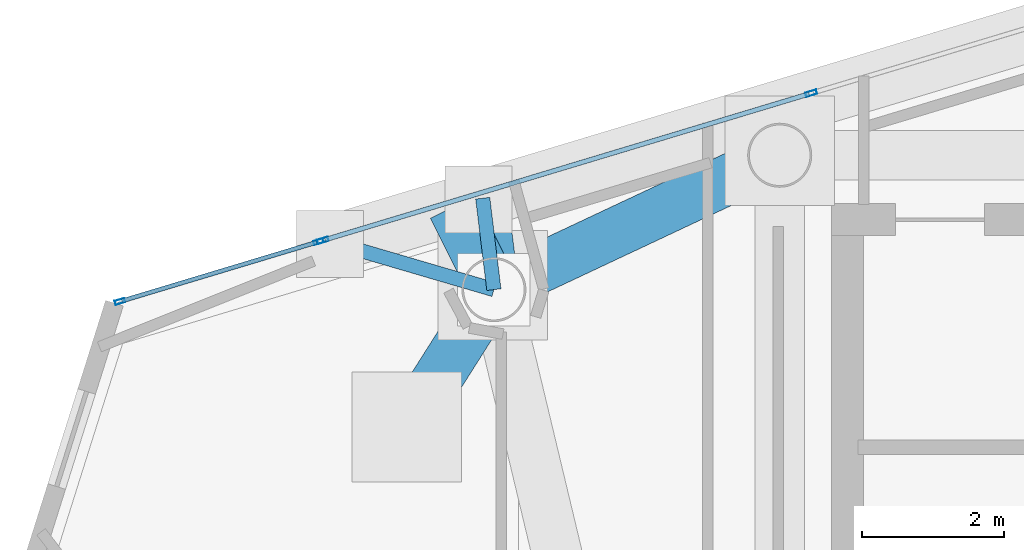
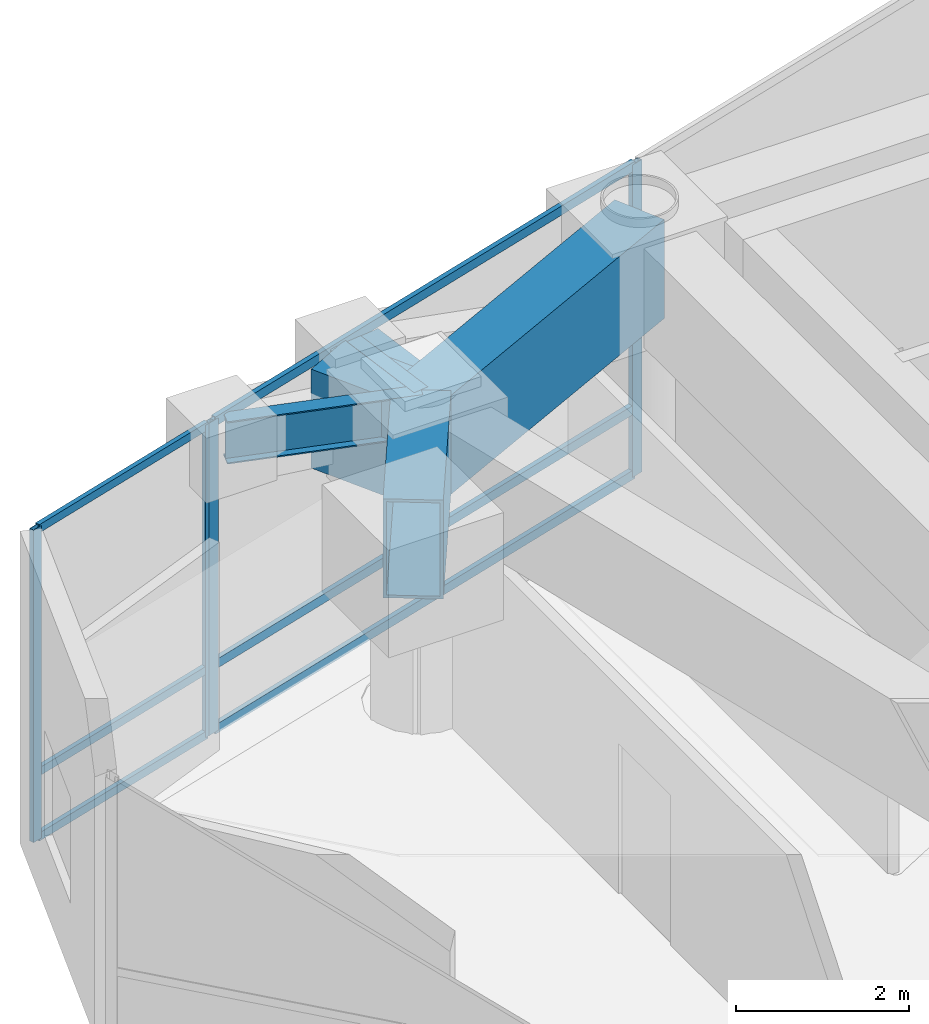
# One storey, part 9 of 20: 10 members, 6 beams, 2 elements without a shape of their own.
"""IFC4 building model written with IfcOpenShell, lengths in metres."""

from ifc_helpers import new_model, si_unit, direction, frame, origin, origin_2d, place, context, subcontext, project, spatial, hollow_rectangle, i_section, extrude, material, layer, layer_set, material_profile, profile_set, type_object, element, aggregate, save


model = new_model("IFC4")

# Units and contexts
model_context = context("Model", 3, precision=1e-05, world=origin(), true_north=direction((0.0, 1.0)))
body_context = subcontext(model_context, "Body", "Model", "MODEL_VIEW")
ifc_project = project(units=[si_unit("LENGTHUNIT", "METRE"), si_unit("AREAUNIT", "SQUARE_METRE"), si_unit("VOLUMEUNIT", "CUBIC_METRE"), si_unit("PLANEANGLEUNIT", "RADIAN"), si_unit("MASSUNIT", "GRAM", prefix="KILO")], contexts=[model_context])

# Site, building, storey
site_placement = place(None, origin())
site = spatial("IfcSite", under=ifc_project, at=site_placement, CompositionType="ELEMENT")
building_placement = place(site_placement, origin())
building = spatial("IfcBuilding", under=site, at=building_placement, Name="Qianvela Tower", CompositionType="ELEMENT")
storey_placement = place(building_placement, frame((0.0, 0.0, 321.300048828125)))
storey = spatial("IfcBuildingStorey", under=building, at=storey_placement, Name="L83", CompositionType="ELEMENT", Elevation=321.300048828125)

# Beams
ifc_material_1 = material(Name="Steel Q355B", Category="steel")
ifc_material_profile_1 = material_profile(ifc_material_1, i_section(OverallWidth=0.199951171875, OverallDepth=0.60009765625, WebThickness=0.010986328125, FlangeThickness=0.01708984375, at=origin_2d()), Name="HN600x200x11x17")
ifc_profile_set_1 = profile_set([ifc_material_profile_1], Name="Steel Q355B")
beam_type_1 = type_object("IfcBeamType", Name="BM-HN600-GIRD", PredefinedType="BEAM", material=ifc_profile_set_1)
beam_1_placement = place(storey_placement, frame((24.5869140625, 31.6630859375, 4.117919921875), z_axis=(-0.121362822067, 0.992608213456, 0.0), x_axis=(-0.992608213456, -0.121362822067, 0.0)))
element("IfcBeam", 1, at=beam_1_placement, inside=storey, type_object=beam_type_1, Name="L83 Mega-Brace Column Tie Bracket F1-1", PredefinedType="BEAM", context=body_context, shape_type="SweptSolid", body=[
    extrude(i_section(OverallWidth=0.199951171875, OverallDepth=0.60009765625, WebThickness=0.010986328125, FlangeThickness=0.01708984375, at=origin_2d()), origin(), (0.0, 0.0, 1.0), 1.29345703125),
])
beam_2_placement = place(storey_placement, frame((24.5869140625, 31.6630859375, 4.117919921875), z_axis=(-0.959618319608, 0.281305315756, 0.0), x_axis=(-0.281305315756, -0.959618319608, 0.0)))
element("IfcBeam", 2, at=beam_2_placement, inside=storey, type_object=beam_type_1, Name="L83 Mega-Brace Column Tie Bracket F1-2", PredefinedType="BEAM", context=body_context, shape_type="SweptSolid", body=[
    extrude(i_section(OverallWidth=0.199951171875, OverallDepth=0.60009765625, WebThickness=0.010986328125, FlangeThickness=0.01708984375, at=origin_2d()), origin(), (0.0, 0.0, 1.0), 2.333740234375),
])
ifc_material_2 = material(Name="Steel Q420GJC", Category="steel")
ifc_material_profile_2 = material_profile(ifc_material_2, hollow_rectangle(XDim=0.699951171875, YDim=1.39990234375, WallThickness=0.0400390625, at=origin_2d()), Name="TG-BOX-1400x700x40")
ifc_profile_set_2 = profile_set([ifc_material_profile_2], Name="Steel Q420GJC")
beam_type_2 = type_object("IfcBeamType", Name="BM-TG-RAD-1400", PredefinedType="BEAM", material=ifc_profile_set_2)
beam_3_placement = place(storey_placement, frame((28.60009765625, 33.550048828125, 3.718017578125), z_axis=(-0.904957143986, -0.425502723316, 0.0), x_axis=(0.425502723316, -0.904957143986, 0.0)))
element("IfcBeam", 3, at=beam_3_placement, inside=storey, type_object=beam_type_2, Name="L83 Radial Outrigger Top Transfer Girder 3", PredefinedType="BEAM", context=body_context, shape_type="SweptSolid", body=[
    extrude(hollow_rectangle(XDim=0.699951171875, YDim=1.39990234375, WallThickness=0.0400390625, at=origin_2d()), origin(), (0.0, 0.0, 1.0), 4.4345703125),
])
ifc_material_3 = material(Name="Steel Q420GJC", Category="steel")
ifc_material_profile_3 = material_profile(ifc_material_3, hollow_rectangle(XDim=0.699951171875, YDim=1.39990234375, WallThickness=0.0400390625, at=origin_2d()), Name="TG-BOX-1400x700x40")
ifc_profile_set_3 = profile_set([ifc_material_profile_3], Name="Steel Q420GJC")
beam_type_3 = type_object("IfcBeamType", Name="BM-TG-STEP-1400", PredefinedType="BEAM", material=ifc_profile_set_3)
beam_4_placement = place(storey_placement, frame((24.5869140625, 31.6630859375, 3.71484375), z_axis=(-0.121362822067, 0.992608213456, 0.0), x_axis=(-0.992608213456, -0.121362822067, 0.0)))
element("IfcBeam", 4, at=beam_4_placement, inside=storey, type_object=beam_type_3, Name="L83 Mega-Brace Zone Base Bracket F1-1", PredefinedType="BEAM", context=body_context, shape_type="SweptSolid", body=[
    extrude(hollow_rectangle(XDim=0.699951171875, YDim=1.39990234375, WallThickness=0.0400390625, at=origin_2d()), origin(), (0.0, 0.0, 1.0), 1.29345703125),
])
beam_5_placement = place(storey_placement, frame((24.5869140625, 31.6630859375, 3.71484375), z_axis=(-0.447062618216, 0.894502663716, 0.0), x_axis=(-0.894502663716, -0.447062618216, 0.0)))
element("IfcBeam", 5, at=beam_5_placement, inside=storey, type_object=beam_type_3, Name="L83 Mega-Brace Zone Base Bracket F1-2", PredefinedType="BEAM", context=body_context, shape_type="SweptSolid", body=[
    extrude(hollow_rectangle(XDim=0.699951171875, YDim=1.39990234375, WallThickness=0.0400390625, at=origin_2d()), origin(), (0.0, 0.0, 1.0), 1.293701171875),
])
beam_6_placement = place(storey_placement, frame((24.5869140625, 31.6630859375, 3.718017578125), z_axis=(-0.535093973507, -0.844792542295, 0.0), x_axis=(0.844792542295, -0.535093973507, 0.0)))
element("IfcBeam", 6, at=beam_6_placement, inside=storey, type_object=beam_type_3, Name="L83 Zone-Step Transfer Girder 3", PredefinedType="BEAM", context=body_context, shape_type="SweptSolid", body=[
    extrude(hollow_rectangle(XDim=0.699951171875, YDim=1.39990234375, WallThickness=0.0400390625, at=origin_2d()), origin(), (0.0, 0.0, 1.0), 2.21826171875),
])

# Curtain wall, members
ifc_material_4 = material(Name="Anodised Architectural Aluminium and Insulated Spandrel Panel", Category="aluminium")
ifc_layer_1 = layer(ifc_material_4, 0.179931640625)
ifc_layer_set_1 = layer_set([ifc_layer_1], Name="Anodised Architectural Aluminium and Insulated Spandrel Panel")
curtain_wall_type_1 = type_object("IfcCurtainWallType", Name="CW-BRACEBAY", PredefinedType="USERDEFINED", material=ifc_layer_set_1)
curtain_wall_1_placement = place(storey_placement, origin())
curtain_wall_1 = element("IfcCurtainWall", 7, at=curtain_wall_1_placement, inside=storey, type_object=curtain_wall_type_1, Name="L83 CW-BRACEBAY Curtain Wall 02B", ObjectType="CURTAIN_WALL_SYSTEM", PredefinedType="USERDEFINED")
ifc_material_5 = material(Name="Anodised Architectural Aluminium 6063-T6", Category="aluminium")
ifc_material_profile_4 = material_profile(ifc_material_5, hollow_rectangle(XDim=0.06494140625, YDim=0.159912109375, WallThickness=0.0048828125, at=origin_2d()), Name="ALU-MULL-65x160")
ifc_profile_set_4 = profile_set([ifc_material_profile_4], Name="Anodised Architectural Aluminium 6063-T6")
member_type_1 = type_object("IfcMemberType", Name="CW-BRACEBAY-MULL", PredefinedType="MULLION", material=ifc_profile_set_4)
member_1_placement = place(storey_placement, frame((29.04248046875, 34.42041015625, 0.0), z_axis=(0.0, 0.0, 1.0), x_axis=(0.288476777754, -0.95748689218, 0.0)))
member_1 = element("IfcMember", 8, at=member_1_placement, type_object=member_type_1, Name="CW-9 mullion 2", PredefinedType="MULLION", context=body_context, shape_type="SweptSolid", body=[
    extrude(hollow_rectangle(XDim=0.06494140625, YDim=0.159912109375, WallThickness=0.0048828125, at=origin_2d()), origin(), (0.0, 0.0, 1.0), 4.419921875),
])
member_2_placement = place(storey_placement, frame((22.184326171875, 32.354248046875, 0.0), z_axis=(0.0, 0.0, 1.0), x_axis=(0.288476777754, -0.95748689218, 0.0)))
member_2 = element("IfcMember", 9, at=member_2_placement, type_object=member_type_1, Name="CW-9 mullion 3", PredefinedType="MULLION", context=body_context, shape_type="SweptSolid", body=[
    extrude(hollow_rectangle(XDim=0.06494140625, YDim=0.159912109375, WallThickness=0.0048828125, at=origin_2d()), origin(), (0.0, 0.0, 1.0), 4.419921875),
])
ifc_material_6 = material(Name="Anodised Architectural Aluminium 6063-T6", Category="aluminium")
ifc_material_profile_5 = material_profile(ifc_material_6, hollow_rectangle(XDim=0.06494140625, YDim=0.1298828125, WallThickness=0.00439453125, at=origin_2d()), Name="ALU-TRAN-65x130")
ifc_profile_set_5 = profile_set([ifc_material_profile_5], Name="Anodised Architectural Aluminium 6063-T6")
member_type_2 = type_object("IfcMemberType", Name="CW-BRACEBAY-TRAN", PredefinedType="USERDEFINED", material=ifc_profile_set_5)
member_3_placement = place(storey_placement, frame((29.01123046875, 34.4111328125, 0.032470703125), z_axis=(-0.957480030491, -0.28849955149, 0.0), x_axis=(0.28849955149, -0.957480030491, 0.0)))
member_3 = element("IfcMember", 10, at=member_3_placement, type_object=member_type_2, Name="CW-9 transom 2.1", ObjectType="TRANSOM", PredefinedType="USERDEFINED", context=body_context, shape_type="SweptSolid", body=[
    extrude(hollow_rectangle(XDim=0.06494140625, YDim=0.1298828125, WallThickness=0.00439453125, at=origin_2d()), origin(), (0.0, 0.0, 1.0), 7.097412109375),
])
member_4_placement = place(storey_placement, frame((29.01123046875, 34.4111328125, 0.949951171875), z_axis=(-0.957480030491, -0.28849955149, 0.0), x_axis=(0.28849955149, -0.957480030491, 0.0)))
member_4 = element("IfcMember", 11, at=member_4_placement, type_object=member_type_2, Name="CW-9 transom 2.2", ObjectType="TRANSOM", PredefinedType="USERDEFINED", context=body_context, shape_type="SweptSolid", body=[
    extrude(hollow_rectangle(XDim=0.06494140625, YDim=0.1298828125, WallThickness=0.00439453125, at=origin_2d()), origin(), (0.0, 0.0, 1.0), 7.097412109375),
])
member_5_placement = place(storey_placement, frame((29.01123046875, 34.4111328125, 4.387451171875), z_axis=(-0.957480030491, -0.28849955149, 0.0), x_axis=(0.28849955149, -0.957480030491, 0.0)))
member_5 = element("IfcMember", 12, at=member_5_placement, type_object=member_type_2, Name="CW-9 transom 2.3", ObjectType="TRANSOM", PredefinedType="USERDEFINED", context=body_context, shape_type="SweptSolid", body=[
    extrude(hollow_rectangle(XDim=0.06494140625, YDim=0.1298828125, WallThickness=0.00439453125, at=origin_2d()), origin(), (0.0, 0.0, 1.0), 7.097412109375),
])
aggregate(curtain_wall_1, [member_1, member_2, member_3, member_4, member_5])

ifc_material_7 = material(Name="Anodised Architectural Aluminium and Low-E Glass", Category="aluminium")
ifc_layer_2 = layer(ifc_material_7, 0.14990234375)
ifc_layer_set_2 = layer_set([ifc_layer_2], Name="Anodised Architectural Aluminium and Low-E Glass")
curtain_wall_type_2 = type_object("IfcCurtainWallType", Name="CW-COLIV-Z78", PredefinedType="USERDEFINED", material=ifc_layer_set_2)
curtain_wall_2_placement = place(storey_placement, origin())
curtain_wall_2 = element("IfcCurtainWall", 13, at=curtain_wall_2_placement, inside=storey, type_object=curtain_wall_type_2, Name="L83 CW-COLIV-Z78 Curtain Wall 02C", ObjectType="CURTAIN_WALL_SYSTEM", PredefinedType="USERDEFINED")
ifc_material_8 = material(Name="Anodised Architectural Aluminium 6063-T6", Category="aluminium")
ifc_material_profile_6 = material_profile(ifc_material_8, hollow_rectangle(XDim=0.06005859375, YDim=0.139892578125, WallThickness=0.00439453125, at=origin_2d()), Name="ALU-MULL-60x140")
ifc_profile_set_6 = profile_set([ifc_material_profile_6], Name="Anodised Architectural Aluminium 6063-T6")
member_type_3 = type_object("IfcMemberType", Name="CW-COLIV-Z78-MULL", PredefinedType="MULLION", material=ifc_profile_set_6)
member_6_placement = place(storey_placement, frame((22.12451171875, 32.336181640625, 0.0), z_axis=(0.0, 0.0, 1.0), x_axis=(0.288507875073, -0.957477522462, 0.0)))
member_6 = element("IfcMember", 14, at=member_6_placement, type_object=member_type_3, Name="CW-6 mullion 1", PredefinedType="MULLION", context=body_context, shape_type="SweptSolid", body=[
    extrude(hollow_rectangle(XDim=0.06005859375, YDim=0.139892578125, WallThickness=0.00439453125, at=origin_2d()), origin(), (0.0, 0.0, 1.0), 4.419921875),
])
member_7_placement = place(storey_placement, frame((19.335205078125, 31.49560546875, 0.0), z_axis=(0.0, 0.0, 1.0), x_axis=(0.288507875073, -0.957477522462, 0.0)))
member_7 = element("IfcMember", 15, at=member_7_placement, type_object=member_type_3, Name="CW-6 mullion 2", PredefinedType="MULLION", context=body_context, shape_type="SweptSolid", body=[
    extrude(hollow_rectangle(XDim=0.06005859375, YDim=0.139892578125, WallThickness=0.00439453125, at=origin_2d()), origin(), (0.0, 0.0, 1.0), 4.419921875),
])
ifc_material_9 = material(Name="Anodised Architectural Aluminium 6063-T6", Category="aluminium")
ifc_material_profile_7 = material_profile(ifc_material_9, hollow_rectangle(XDim=0.06005859375, YDim=0.114990234375, WallThickness=0.00390625, at=origin_2d()), Name="ALU-TRAN-60x115")
ifc_profile_set_7 = profile_set([ifc_material_profile_7], Name="Anodised Architectural Aluminium 6063-T6")
member_type_4 = type_object("IfcMemberType", Name="CW-COLIV-Z78-TRAN", PredefinedType="USERDEFINED", material=ifc_profile_set_7)
member_8_placement = place(storey_placement, frame((22.095947265625, 32.327392578125, 0.030029296875), z_axis=(-0.957495946574, -0.288446723494, 0.0), x_axis=(0.288446723494, -0.957495946574, 0.0)))
member_8 = element("IfcMember", 16, at=member_8_placement, type_object=member_type_4, Name="CW-6 transom 1.1", ObjectType="TRANSOM", PredefinedType="USERDEFINED", context=body_context, shape_type="SweptSolid", body=[
    extrude(hollow_rectangle(XDim=0.06005859375, YDim=0.114990234375, WallThickness=0.00390625, at=origin_2d()), origin(), (0.0, 0.0, 1.0), 2.853271484375),
])
member_9_placement = place(storey_placement, frame((22.095947265625, 32.327392578125, 0.949951171875), z_axis=(-0.957495946574, -0.288446723494, 0.0), x_axis=(0.288446723494, -0.957495946574, 0.0)))
member_9 = element("IfcMember", 17, at=member_9_placement, type_object=member_type_4, Name="CW-6 transom 1.2", ObjectType="TRANSOM", PredefinedType="USERDEFINED", context=body_context, shape_type="SweptSolid", body=[
    extrude(hollow_rectangle(XDim=0.06005859375, YDim=0.114990234375, WallThickness=0.00390625, at=origin_2d()), origin(), (0.0, 0.0, 1.0), 2.853271484375),
])
member_10_placement = place(storey_placement, frame((22.095947265625, 32.327392578125, 4.389892578125), z_axis=(-0.957495946574, -0.288446723494, 0.0), x_axis=(0.288446723494, -0.957495946574, 0.0)))
member_10 = element("IfcMember", 18, at=member_10_placement, type_object=member_type_4, Name="CW-6 transom 1.3", ObjectType="TRANSOM", PredefinedType="USERDEFINED", context=body_context, shape_type="SweptSolid", body=[
    extrude(hollow_rectangle(XDim=0.06005859375, YDim=0.114990234375, WallThickness=0.00390625, at=origin_2d()), origin(), (0.0, 0.0, 1.0), 2.853271484375),
])
aggregate(curtain_wall_2, [member_6, member_7, member_8, member_9, member_10])

save(model, "model.ifc")
